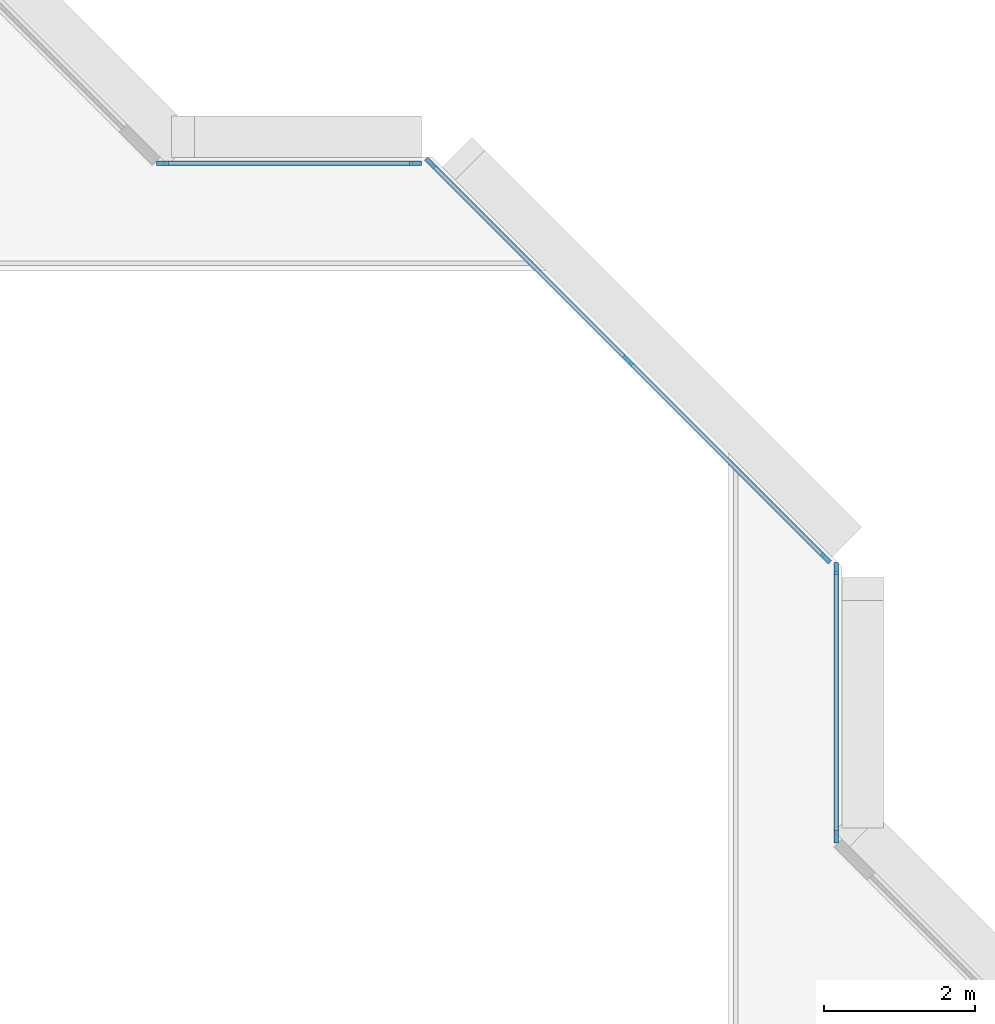
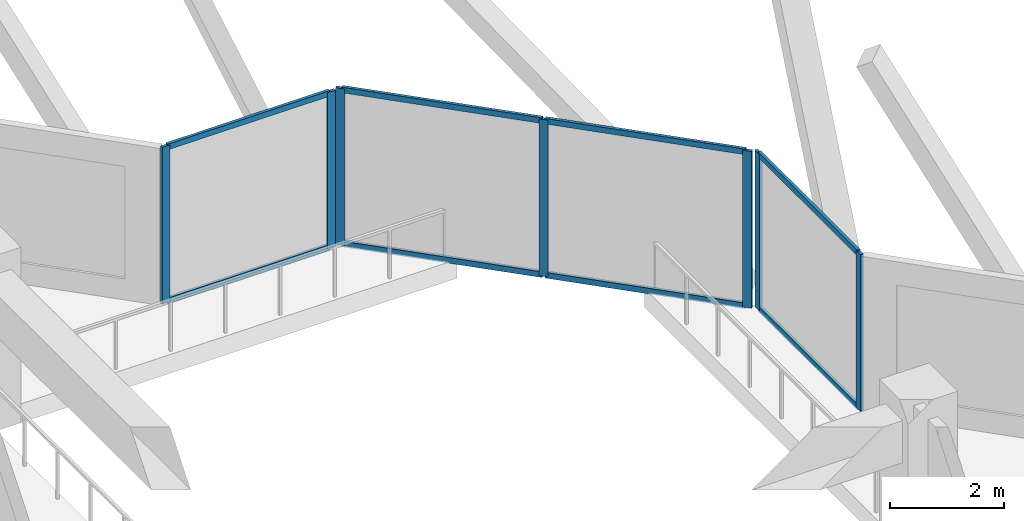
# One storey, part 2 of 15: 15 members, 3 elements without a shape of their own.
"""IFC4 building model written with IfcOpenShell, lengths in metres."""

import ifcopenshell
import ifcopenshell.guid

model = None  # the IFC model being written
_history = None  # IfcOwnerHistory: only IFC2X3 demands one
_inside = {}  # id of a spatial element -> (the spatial element, [elements in it])
_under = {}  # id of a project, library or spatial element -> (it, [spatial elements below it])
_declared = {}  # id of a project -> (the project, [libraries it declares])
_typed = {}  # id of a type object -> (the type object, [elements of that type])
_made_of = {}  # id of a material, layer set ... -> (it, [elements and type objects made of it])


def new_model(schema):
    """Start an empty IFC model of exactly this schema.

    Asked for "IFC4X3", IfcOpenShell would pick the latest addendum, in which some entities
    have other attributes; the version numbers below select the first issue.
    IFC2X3 requires an IfcOwnerHistory on every rooted entity: one is made here for all.
    """
    global model, _history
    if schema == "IFC4X3":
        model = ifcopenshell.file(schema_version=(4, 3, 0, 0))
    else:
        model = ifcopenshell.file(schema=schema)
    _inside.clear()
    _under.clear()
    _declared.clear()
    _typed.clear()
    _made_of.clear()
    _history = None
    if model.schema == "IFC2X3":
        org = make("IfcOrganization", Name="unknown")
        user = make(
            "IfcPersonAndOrganization",
            ThePerson=make("IfcPerson", FamilyName="unknown"),
            TheOrganization=org,
        )
        app = make(
            "IfcApplication",
            ApplicationDeveloper=org,
            Version="unknown",
            ApplicationFullName="unknown",
            ApplicationIdentifier="unknown",
        )
        _history = make(
            "IfcOwnerHistory",
            OwningUser=user,
            OwningApplication=app,
            ChangeAction="ADDED",
            CreationDate=0,
        )
    return model


def make(cls, **values):
    """One entity of the class cls with the attributes given. An attribute that is None is left unset."""
    return model.create_entity(
        cls, **{name: value for name, value in values.items() if value is not None}
    )


def rooted(cls, **values):
    """An entity with a GlobalId (a new one), such as an element, a storey or a relation."""
    return make(cls, GlobalId=ifcopenshell.guid.new(), OwnerHistory=_history, **values)


def si_unit(unit_type, name, prefix=None):
    """IfcSIUnit, for example si_unit("LENGTHUNIT", "METRE", prefix="MILLI")."""
    return make("IfcSIUnit", UnitType=unit_type, Prefix=prefix, Name=name)


def assignment(units):
    """IfcUnitAssignment: the units of a project."""
    return None if units is None else make("IfcUnitAssignment", Units=units)


def point(xyz):
    """IfcCartesianPoint."""
    return None if xyz is None else make("IfcCartesianPoint", Coordinates=xyz)


def direction(xyz):
    """IfcDirection."""
    return None if xyz is None else make("IfcDirection", DirectionRatios=xyz)


def frame(location, z_axis=None, x_axis=None):
    """IfcAxis2Placement3D, a coordinate frame: its origin and axes. An axis left out is left unset."""
    return make(
        "IfcAxis2Placement3D",
        Location=point(location),
        Axis=direction(z_axis),
        RefDirection=direction(x_axis),
    )


def frame_2d(location, x_axis=None):
    """IfcAxis2Placement2D, a coordinate frame in the plane: its origin and x axis."""
    return make(
        "IfcAxis2Placement2D", Location=point(location), RefDirection=direction(x_axis)
    )


def origin():
    """The frame at (0, 0, 0) with its axes left unset."""
    return frame((0.0, 0.0, 0.0))


def origin_2d():
    """The frame at (0, 0) in the plane with its x axis left unset."""
    return frame_2d((0.0, 0.0))


def place(relative_to, where):
    """IfcLocalPlacement: puts the frame where relative to a parent placement (None: the world)."""
    return make(
        "IfcLocalPlacement", PlacementRelTo=relative_to, RelativePlacement=where
    )


def context(
    kind, dimensions, precision=None, world=None, true_north=None, identifier=None
):
    """IfcGeometricRepresentationContext, for example the 3D "Model" context."""
    return make(
        "IfcGeometricRepresentationContext",
        ContextIdentifier=identifier,
        ContextType=kind,
        CoordinateSpaceDimension=dimensions,
        Precision=precision,
        WorldCoordinateSystem=world,
        TrueNorth=true_north,
    )


def subcontext(parent, identifier, kind, view, scale=None):
    """IfcGeometricRepresentationSubContext, for example "Body" below "Model"."""
    return make(
        "IfcGeometricRepresentationSubContext",
        ContextIdentifier=identifier,
        ContextType=kind,
        ParentContext=parent,
        TargetScale=scale,
        TargetView=view,
    )


def project(units=None, contexts=None):
    """IfcProject with its units and contexts."""
    return rooted(
        "IfcProject",
        Name="project",
        RepresentationContexts=contexts,
        UnitsInContext=assignment(units),
    )


def spatial(cls, under=None, at=None, **own):
    """A site, building, storey or space (cls), placed at a placement, below another one or the project."""
    s = rooted(cls, ObjectPlacement=at, **own)
    if under is not None:
        _under.setdefault(under.id(), (under, []))[1].append(s)
    return s


def profile(cls, at=None, kind="AREA", **sizes):
    """A parametric profile (cls). Its sizes go by their IFC names, for example OverallWidth=200.0."""
    return make(cls, ProfileType=kind, Position=at, **sizes)


def rectangle(**sizes):
    """IfcRectangleProfileDef."""
    return profile("IfcRectangleProfileDef", **sizes)


def extrude(swept, where, along, depth):
    """IfcExtrudedAreaSolid: the profile swept, set in the frame where, extruded along a direction by depth."""
    return make(
        "IfcExtrudedAreaSolid",
        SweptArea=swept,
        Position=where,
        ExtrudedDirection=direction(along),
        Depth=depth,
    )


def shape(context_of_items, identifier, shape_type, items):
    """IfcShapeRepresentation: the items that make up one representation, for example the "Body"."""
    return make(
        "IfcShapeRepresentation",
        ContextOfItems=context_of_items,
        RepresentationIdentifier=identifier,
        RepresentationType=shape_type,
        Items=items,
    )


def material(Name=None, Category=None):
    """IfcMaterial."""
    return make("IfcMaterial", Name=Name, Category=Category)


def layer(
    of_material, thickness, ventilated=None, Name=None, Category=None, Priority=None
):
    """IfcMaterialLayer: one layer of a wall or slab, of a material (None: an air gap)."""
    return make(
        "IfcMaterialLayer",
        Material=of_material,
        LayerThickness=thickness,
        IsVentilated=ventilated,
        Name=Name,
        Category=Category,
        Priority=Priority,
    )


def layer_set(layers, Name=None):
    """IfcMaterialLayerSet."""
    return make("IfcMaterialLayerSet", MaterialLayers=layers, LayerSetName=Name)


def material_profile(
    of_material, cross_section, Name=None, Category=None, Priority=None
):
    """IfcMaterialProfile: a cross section and its material."""
    return make(
        "IfcMaterialProfile",
        Name=Name,
        Material=of_material,
        Profile=cross_section,
        Priority=Priority,
        Category=Category,
    )


def profile_set(profiles, Name=None, composite=None):
    """IfcMaterialProfileSet."""
    return make(
        "IfcMaterialProfileSet",
        Name=Name,
        MaterialProfiles=profiles,
        CompositeProfile=composite,
    )


def made_of(thing, what):
    """Note that an element or type object is made of a material, layer set ...; save() writes the relation."""
    if what is not None:
        _made_of.setdefault(what.id(), (what, []))[1].append(thing)
    return thing


def type_object(cls, material=None, **own):
    """A type object (cls), such as IfcWallType, which elements share."""
    return made_of(rooted(cls, **own), material)


def element(
    cls,
    number,
    at=None,
    inside=None,
    cuts=None,
    type_object=None,
    material=None,
    context=None,
    identifier="Body",
    shape_type=None,
    held_by="IfcProductDefinitionShape",
    body=None,
    shapes=None,
    **own,
):
    """One element of the class cls, such as IfcWall. Its Tag is "e" and its number.

    at: its placement. inside: the storey or other place that contains it. cuts: it is an
    opening in that element (IfcRelVoidsElement). A single representation is given by context,
    identifier, shape_type and body (its items); several are given by shapes. held_by: the class
    of the entity that holds the representations. save() writes the other relations.
    """
    e = rooted(cls, Tag="e%d" % number, ObjectPlacement=at, **own)
    if body is not None:
        shapes = [shape(context, identifier, shape_type, body)]
    if shapes is not None:
        e.Representation = make(held_by, Representations=shapes)
    if inside is not None:
        _inside.setdefault(inside.id(), (inside, []))[1].append(e)
    if cuts is not None:
        rooted(
            "IfcRelVoidsElement", RelatingBuildingElement=cuts, RelatedOpeningElement=e
        )
    if type_object is not None:
        _typed.setdefault(type_object.id(), (type_object, []))[1].append(e)
    return made_of(e, material)


def aggregate(whole, parts):
    """IfcRelAggregates: a whole, such as a stair, and the parts it consists of."""
    return rooted("IfcRelAggregates", RelatingObject=whole, RelatedObjects=parts)


def save(model, path):
    """Write the relations noted so far, then the file.

    IfcRelAggregates (storeys below a building ...), IfcRelContainedInSpatialStructure (elements
    in a storey), IfcRelDefinesByType, IfcRelAssociatesMaterial and IfcRelDeclares: one each for
    every whole, place, type object, material and project.
    """
    for whole, parts in _under.values():
        aggregate(whole, parts)
    for where, things in _inside.values():
        rooted(
            "IfcRelContainedInSpatialStructure",
            RelatedElements=things,
            RelatingStructure=where,
        )
    for kind, things in _typed.values():
        rooted("IfcRelDefinesByType", RelatedObjects=things, RelatingType=kind)
    for what, things in _made_of.values():
        rooted("IfcRelAssociatesMaterial", RelatedObjects=things, RelatingMaterial=what)
    for by, libraries in _declared.values():
        rooted("IfcRelDeclares", RelatingContext=by, RelatedDefinitions=libraries)
    model.write(path)


model = new_model("IFC4")

# Units and contexts
model_context = context("Model", 3, precision=1e-05, world=origin(), true_north=direction((0.0, 1.0)))
body_context = subcontext(model_context, "Body", "Model", "MODEL_VIEW")
ifc_project = project(units=[si_unit("LENGTHUNIT", "METRE"), si_unit("AREAUNIT", "SQUARE_METRE"), si_unit("VOLUMEUNIT", "CUBIC_METRE"), si_unit("PLANEANGLEUNIT", "RADIAN"), si_unit("MASSUNIT", "GRAM", prefix="KILO")], contexts=[model_context])

# Site, building, storey
site_placement = place(None, origin())
site = spatial("IfcSite", under=ifc_project, at=site_placement, CompositionType="ELEMENT")
building_placement = place(site_placement, origin())
building = spatial("IfcBuilding", under=site, at=building_placement, Name="Chenar Terraces", CompositionType="ELEMENT")
storey_placement = place(building_placement, frame((0.0, 0.0, 114.39990234375)))
storey = spatial("IfcBuildingStorey", under=building, at=storey_placement, Name="L26", CompositionType="ELEMENT", Elevation=114.39990234375)

# Curtain wall, members
ifc_material_1 = material(Name="Aluminium framed glazing", Category="aluminium")
ifc_layer = layer(ifc_material_1, 0.14990234375)
ifc_layer_set = layer_set([ifc_layer], Name="Aluminium framed glazing")
curtain_wall_type = type_object("IfcCurtainWallType", Name="Atrium curtain wall", PredefinedType="NOTDEFINED", material=ifc_layer_set)
placement = place(storey_placement, origin())
curtain_wall_1 = element("IfcCurtainWall", 1, at=placement, inside=storey, type_object=curtain_wall_type, Name="Atrium curtain wall", PredefinedType="NOTDEFINED")
ifc_material_2 = material(Name="Aluminium", Category="aluminium")
ifc_material_profile_1 = material_profile(ifc_material_2, rectangle(XDim=0.06005859375, YDim=0.159912109375, at=origin_2d()), Name="Atrium glazing mullion 60 x 160")
ifc_profile_set_1 = profile_set([ifc_material_profile_1], Name="Aluminium")
member_type_1 = type_object("IfcMemberType", Name="Atrium glazing mullion 60 x 160", PredefinedType="MULLION", material=ifc_profile_set_1)
member_1_placement = place(storey_placement, frame((37.425048828125, 28.530029296875, 0.0), z_axis=(0.0, 0.0, 1.0), x_axis=(-1.0, 0.0, 0.0)))
member_1 = element("IfcMember", 2, at=member_1_placement, type_object=member_type_1, Name="CW1-1 mullion 1", PredefinedType="MULLION", context=body_context, shape_type="SweptSolid", body=[
    extrude(rectangle(XDim=0.06005859375, YDim=0.159912109375, at=origin_2d()), origin(), (0.0, 0.0, 1.0), 3.35009765625),
])
member_2_placement = place(storey_placement, frame((37.425048828125, 32.070068359375, 0.0), z_axis=(0.0, 0.0, 1.0), x_axis=(-1.0, 0.0, 0.0)))
member_2 = element("IfcMember", 3, at=member_2_placement, type_object=member_type_1, Name="CW1-1 mullion 2", PredefinedType="MULLION", context=body_context, shape_type="SweptSolid", body=[
    extrude(rectangle(XDim=0.06005859375, YDim=0.159912109375, at=origin_2d()), origin(), (0.0, 0.0, 1.0), 3.35009765625),
])

curtain_wall_2 = element("IfcCurtainWall", 4, at=placement, inside=storey, type_object=curtain_wall_type, Name="Atrium curtain wall", PredefinedType="NOTDEFINED")
member_3_placement = place(storey_placement, frame((37.284423828125, 32.209716796875, 0.0), z_axis=(0.0, 0.0, 1.0), x_axis=(-0.707106781187, -0.707106781187, 0.0)))
member_3 = element("IfcMember", 5, at=member_3_placement, type_object=member_type_1, Name="CW1-2 mullion 1", PredefinedType="MULLION", context=body_context, shape_type="SweptSolid", body=[
    extrude(rectangle(XDim=0.06005859375, YDim=0.159912109375, at=origin_2d()), origin(), (0.0, 0.0, 1.0), 3.35009765625),
])
member_4_placement = place(storey_placement, frame((34.67626953125, 34.817626953125, 0.0), z_axis=(0.0, 0.0, 1.0), x_axis=(-0.707106781187, -0.707106781187, 0.0)))
member_4 = element("IfcMember", 6, at=member_4_placement, type_object=member_type_1, Name="CW1-2 mullion 2", PredefinedType="MULLION", context=body_context, shape_type="SweptSolid", body=[
    extrude(rectangle(XDim=0.06005859375, YDim=0.159912109375, at=origin_2d()), origin(), (0.0, 0.0, 1.0), 3.35009765625),
])
member_5_placement = place(storey_placement, frame((32.068115234375, 37.42578125, 0.0), z_axis=(0.0, 0.0, 1.0), x_axis=(-0.707106781187, -0.707106781187, 0.0)))
member_5 = element("IfcMember", 7, at=member_5_placement, type_object=member_type_1, Name="CW1-2 mullion 3", PredefinedType="MULLION", context=body_context, shape_type="SweptSolid", body=[
    extrude(rectangle(XDim=0.06005859375, YDim=0.159912109375, at=origin_2d()), origin(), (0.0, 0.0, 1.0), 3.35009765625),
])

curtain_wall_3 = element("IfcCurtainWall", 8, at=placement, inside=storey, type_object=curtain_wall_type, Name="Atrium curtain wall", PredefinedType="NOTDEFINED")
member_6_placement = place(storey_placement, frame((31.8701171875, 37.425048828125, 0.0), z_axis=(0.0, 0.0, 1.0), x_axis=(0.0, -1.0, 0.0)))
member_6 = element("IfcMember", 9, at=member_6_placement, type_object=member_type_1, Name="CW1-3 mullion 1", PredefinedType="MULLION", context=body_context, shape_type="SweptSolid", body=[
    extrude(rectangle(XDim=0.06005859375, YDim=0.159912109375, at=origin_2d()), origin(), (0.0, 0.0, 1.0), 3.35009765625),
])
member_7_placement = place(storey_placement, frame((28.530029296875, 37.425048828125, 0.0), z_axis=(0.0, 0.0, 1.0), x_axis=(0.0, -1.0, 0.0)))
member_7 = element("IfcMember", 10, at=member_7_placement, type_object=member_type_1, Name="CW1-3 mullion 2", PredefinedType="MULLION", context=body_context, shape_type="SweptSolid", body=[
    extrude(rectangle(XDim=0.06005859375, YDim=0.159912109375, at=origin_2d()), origin(), (0.0, 0.0, 1.0), 3.35009765625),
])

# Member
ifc_material_3 = material(Name="Aluminium", Category="aluminium")
ifc_material_profile_2 = material_profile(ifc_material_3, rectangle(XDim=0.06005859375, YDim=0.1201171875, at=origin_2d()), Name="Atrium glazing transom 60 x 120")
ifc_profile_set_2 = profile_set([ifc_material_profile_2], Name="Aluminium")
member_type_2 = type_object("IfcMemberType", Name="Atrium glazing transom 60 x 120", PredefinedType="USERDEFINED", material=ifc_profile_set_2)
member_8_placement = place(storey_placement, frame((37.425048828125, 28.56005859375, 0.030029296875), z_axis=(0.0, 1.0, 0.0), x_axis=(-1.0, 0.0, 0.0)))
member_8 = element("IfcMember", 11, at=member_8_placement, type_object=member_type_2, Name="CW1-1 transom 1.1", ObjectType="TRANSOM", PredefinedType="USERDEFINED", context=body_context, shape_type="SweptSolid", body=[
    extrude(rectangle(XDim=0.06005859375, YDim=0.1201171875, at=origin_2d()), origin(), (0.0, 0.0, 1.0), 3.47998046875),
])

member_9_placement = place(storey_placement, frame((37.425048828125, 28.56005859375, 3.320068359375), z_axis=(0.0, 1.0, 0.0), x_axis=(-1.0, 0.0, 0.0)))
member_9 = element("IfcMember", 12, at=member_9_placement, type_object=member_type_2, Name="CW1-1 transom 1.2", ObjectType="TRANSOM", PredefinedType="USERDEFINED", context=body_context, shape_type="SweptSolid", body=[
    extrude(rectangle(XDim=0.06005859375, YDim=0.1201171875, at=origin_2d()), origin(), (0.0, 0.0, 1.0), 3.47998046875),
])

aggregate(curtain_wall_1, [member_1, member_2, member_8, member_9])

member_10_placement = place(storey_placement, frame((37.26318359375, 32.230712890625, 0.030029296875), z_axis=(-0.707106781187, 0.707106781187, 0.0), x_axis=(-0.707106781187, -0.707106781187, 0.0)))
member_10 = element("IfcMember", 13, at=member_10_placement, type_object=member_type_2, Name="CW1-2 transom 1.1", ObjectType="TRANSOM", PredefinedType="USERDEFINED", context=body_context, shape_type="SweptSolid", body=[
    extrude(rectangle(XDim=0.06005859375, YDim=0.1201171875, at=origin_2d()), origin(), (0.0, 0.0, 1.0), 3.62841796875),
])

member_11_placement = place(storey_placement, frame((37.26318359375, 32.230712890625, 3.320068359375), z_axis=(-0.707106781187, 0.707106781187, 0.0), x_axis=(-0.707106781187, -0.707106781187, 0.0)))
member_11 = element("IfcMember", 14, at=member_11_placement, type_object=member_type_2, Name="CW1-2 transom 1.2", ObjectType="TRANSOM", PredefinedType="USERDEFINED", context=body_context, shape_type="SweptSolid", body=[
    extrude(rectangle(XDim=0.06005859375, YDim=0.1201171875, at=origin_2d()), origin(), (0.0, 0.0, 1.0), 3.62841796875),
])

member_12_placement = place(storey_placement, frame((34.655029296875, 34.8388671875, 0.030029296875), z_axis=(-0.707106781187, 0.707106781187, 0.0), x_axis=(-0.707106781187, -0.707106781187, 0.0)))
member_12 = element("IfcMember", 15, at=member_12_placement, type_object=member_type_2, Name="CW1-2 transom 2.1", ObjectType="TRANSOM", PredefinedType="USERDEFINED", context=body_context, shape_type="SweptSolid", body=[
    extrude(rectangle(XDim=0.06005859375, YDim=0.1201171875, at=origin_2d()), origin(), (0.0, 0.0, 1.0), 3.62841796875),
])

member_13_placement = place(storey_placement, frame((34.655029296875, 34.8388671875, 3.320068359375), z_axis=(-0.707106781187, 0.707106781187, 0.0), x_axis=(-0.707106781187, -0.707106781187, 0.0)))
member_13 = element("IfcMember", 16, at=member_13_placement, type_object=member_type_2, Name="CW1-2 transom 2.2", ObjectType="TRANSOM", PredefinedType="USERDEFINED", context=body_context, shape_type="SweptSolid", body=[
    extrude(rectangle(XDim=0.06005859375, YDim=0.1201171875, at=origin_2d()), origin(), (0.0, 0.0, 1.0), 3.62841796875),
])

aggregate(curtain_wall_2, [member_3, member_4, member_5, member_10, member_11, member_12, member_13])

member_14_placement = place(storey_placement, frame((31.840087890625, 37.425048828125, 0.030029296875), z_axis=(-1.0, 0.0, 0.0), x_axis=(0.0, -1.0, 0.0)))
member_14 = element("IfcMember", 17, at=member_14_placement, type_object=member_type_2, Name="CW1-3 transom 1.1", ObjectType="TRANSOM", PredefinedType="USERDEFINED", context=body_context, shape_type="SweptSolid", body=[
    extrude(rectangle(XDim=0.06005859375, YDim=0.1201171875, at=origin_2d()), origin(), (0.0, 0.0, 1.0), 3.280029296875),
])

member_15_placement = place(storey_placement, frame((31.840087890625, 37.425048828125, 3.320068359375), z_axis=(-1.0, 0.0, 0.0), x_axis=(0.0, -1.0, 0.0)))
member_15 = element("IfcMember", 18, at=member_15_placement, type_object=member_type_2, Name="CW1-3 transom 1.2", ObjectType="TRANSOM", PredefinedType="USERDEFINED", context=body_context, shape_type="SweptSolid", body=[
    extrude(rectangle(XDim=0.06005859375, YDim=0.1201171875, at=origin_2d()), origin(), (0.0, 0.0, 1.0), 3.280029296875),
])

aggregate(curtain_wall_3, [member_6, member_7, member_14, member_15])

save(model, "model.ifc")
